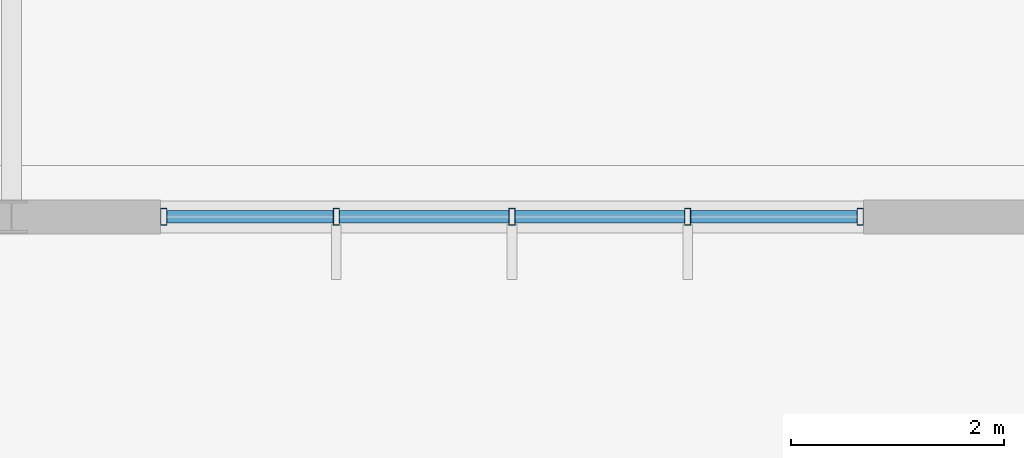
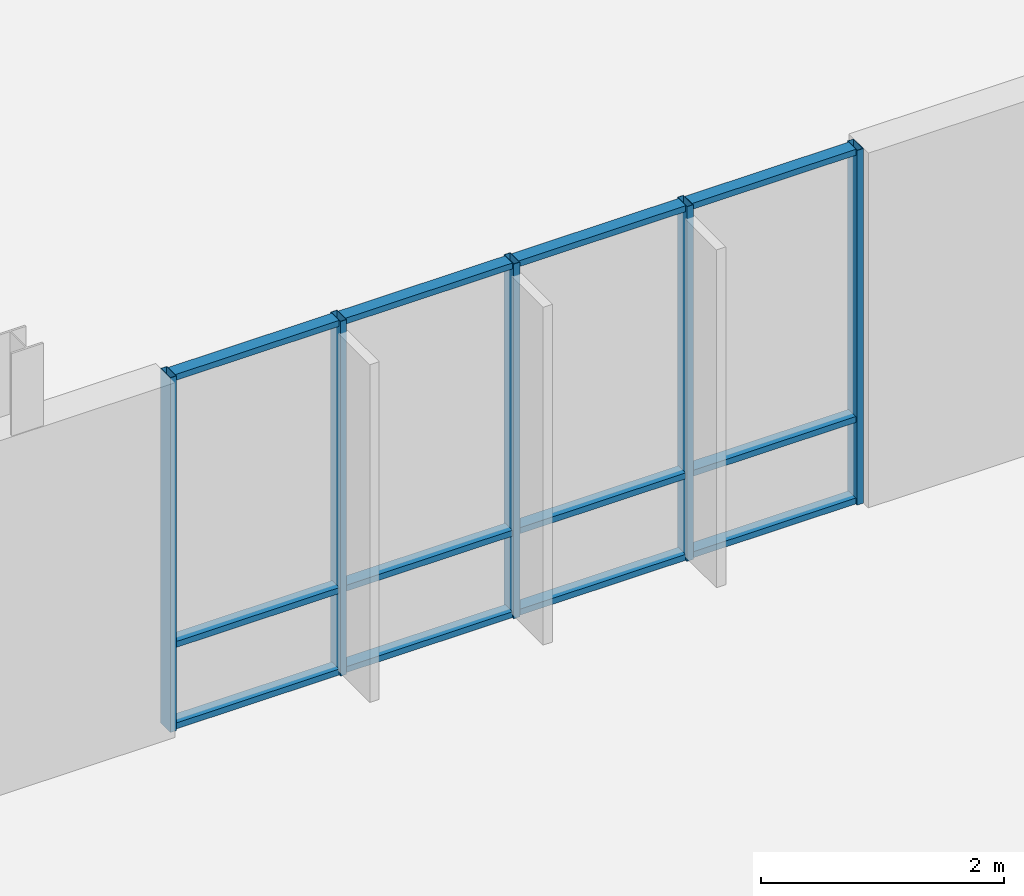
# One storey, part 152 of 233: 17 members, 1 element without a shape of its own.
"""IFC4 building model written with IfcOpenShell, lengths in metres."""

from ifc_helpers import new_model, si_unit, direction, frame, origin, origin_2d, place, context, subcontext, project, spatial, hollow_rectangle, extrude, material, material_profile, profile_set, type_object, element, aggregate, save


model = new_model("IFC4")

# Units and contexts
model_context = context("Model", 3, precision=1e-05, world=origin(), true_north=direction((0.0, 1.0)))
body_context = subcontext(model_context, "Body", "Model", "MODEL_VIEW")
ifc_project = project(units=[si_unit("LENGTHUNIT", "METRE"), si_unit("AREAUNIT", "SQUARE_METRE"), si_unit("VOLUMEUNIT", "CUBIC_METRE"), si_unit("PLANEANGLEUNIT", "RADIAN"), si_unit("MASSUNIT", "GRAM", prefix="KILO")], contexts=[model_context])

# Site, building, storey
site_placement = place(None, origin())
site = spatial("IfcSite", under=ifc_project, at=site_placement, CompositionType="ELEMENT")
building_placement = place(site_placement, origin())
building = spatial("IfcBuilding", under=site, at=building_placement, Name="Zavelmont Quarter", CompositionType="ELEMENT")
storey_placement = place(building_placement, origin())
storey = spatial("IfcBuildingStorey", under=building, at=storey_placement, Name="L00", CompositionType="ELEMENT", Elevation=0.0)

# Curtain wall, members
ifc_material_1 = material(Name="Thermally broken aluminium and double low-E safety glazing", Category="aluminium")
curtain_wall_type = type_object("IfcCurtainWallType", Name="CW-660X357", PredefinedType="NOTDEFINED", material=ifc_material_1)
curtain_wall_placement = place(storey_placement, origin())
curtain_wall = element("IfcCurtainWall", 1, at=curtain_wall_placement, inside=storey, type_object=curtain_wall_type, Name="L00 unitised curtain wall CW-660X357", PredefinedType="NOTDEFINED")
ifc_material_2 = material(Name="Powder-coated aluminium EN AW-6063-T6", Category="aluminium")
ifc_material_profile_1 = material_profile(ifc_material_2, hollow_rectangle(XDim=0.06005859375, YDim=0.159912109375, WallThickness=0.00390625, at=origin_2d()), Name="CWM60X160")
ifc_profile_set_1 = profile_set([ifc_material_profile_1], Name="Powder-coated aluminium EN AW-6063-T6")
member_type_1 = type_object("IfcMemberType", Name="CWM01", PredefinedType="MULLION", material=ifc_profile_set_1)
member_1_placement = place(storey_placement, frame((148.72998046875, 38.0, 0.0), z_axis=(0.0, 0.0, 1.0), x_axis=(1.0, 0.0, 0.0)))
member_1 = element("IfcMember", 2, at=member_1_placement, type_object=member_type_1, Name="CW-660X357 mullion 1", PredefinedType="MULLION", context=body_context, shape_type="SweptSolid", body=[
    extrude(hollow_rectangle(XDim=0.06005859375, YDim=0.159912109375, WallThickness=0.00390625, at=origin_2d()), origin(), (0.0, 0.0, 1.0), 3.570068359375),
])
member_2_placement = place(storey_placement, frame((150.35009765625, 38.0, 0.0), z_axis=(0.0, 0.0, 1.0), x_axis=(1.0, 0.0, 0.0)))
member_2 = element("IfcMember", 3, at=member_2_placement, type_object=member_type_1, Name="CW-660X357 mullion 2", PredefinedType="MULLION", context=body_context, shape_type="SweptSolid", body=[
    extrude(hollow_rectangle(XDim=0.06005859375, YDim=0.159912109375, WallThickness=0.00390625, at=origin_2d()), origin(), (0.0, 0.0, 1.0), 3.570068359375),
])
member_3_placement = place(storey_placement, frame((152.0, 38.0, 0.0), z_axis=(0.0, 0.0, 1.0), x_axis=(1.0, 0.0, 0.0)))
member_3 = element("IfcMember", 4, at=member_3_placement, type_object=member_type_1, Name="CW-660X357 mullion 3", PredefinedType="MULLION", context=body_context, shape_type="SweptSolid", body=[
    extrude(hollow_rectangle(XDim=0.06005859375, YDim=0.159912109375, WallThickness=0.00390625, at=origin_2d()), origin(), (0.0, 0.0, 1.0), 3.570068359375),
])
member_4_placement = place(storey_placement, frame((153.64990234375, 38.0, 0.0), z_axis=(0.0, 0.0, 1.0), x_axis=(1.0, 0.0, 0.0)))
member_4 = element("IfcMember", 5, at=member_4_placement, type_object=member_type_1, Name="CW-660X357 mullion 4", PredefinedType="MULLION", context=body_context, shape_type="SweptSolid", body=[
    extrude(hollow_rectangle(XDim=0.06005859375, YDim=0.159912109375, WallThickness=0.00390625, at=origin_2d()), origin(), (0.0, 0.0, 1.0), 3.570068359375),
])
member_5_placement = place(storey_placement, frame((155.27001953125, 38.0, 0.0), z_axis=(0.0, 0.0, 1.0), x_axis=(1.0, 0.0, 0.0)))
member_5 = element("IfcMember", 6, at=member_5_placement, type_object=member_type_1, Name="CW-660X357 mullion 5", PredefinedType="MULLION", context=body_context, shape_type="SweptSolid", body=[
    extrude(hollow_rectangle(XDim=0.06005859375, YDim=0.159912109375, WallThickness=0.00390625, at=origin_2d()), origin(), (0.0, 0.0, 1.0), 3.570068359375),
])
ifc_material_profile_2 = material_profile(ifc_material_2, hollow_rectangle(XDim=0.1201171875, YDim=0.06005859375, WallThickness=0.00390625, at=origin_2d()), Name="CWT60X120")
ifc_profile_set_2 = profile_set([ifc_material_profile_2], Name="Powder-coated aluminium EN AW-6063-T6")
member_type_2 = type_object("IfcMemberType", Name="CWT01", PredefinedType="NOTDEFINED", material=ifc_profile_set_2)
member_6_placement = place(storey_placement, frame((148.760009765625, 38.0, 0.030029296875), z_axis=(1.0, 0.0, 0.0), x_axis=(0.0, 1.0, 0.0)))
member_6 = element("IfcMember", 7, at=member_6_placement, type_object=member_type_2, Name="CW-660X357 transom 1.1", ObjectType="TRANSOM", PredefinedType="USERDEFINED", context=body_context, shape_type="SweptSolid", body=[
    extrude(hollow_rectangle(XDim=0.1201171875, YDim=0.06005859375, WallThickness=0.00390625, at=origin_2d()), origin(), (0.0, 0.0, 1.0), 1.56005859375),
])
member_7_placement = place(storey_placement, frame((148.760009765625, 38.0, 0.85009765625), z_axis=(1.0, 0.0, 0.0), x_axis=(0.0, 1.0, 0.0)))
member_7 = element("IfcMember", 8, at=member_7_placement, type_object=member_type_2, Name="CW-660X357 transom 1.2", ObjectType="TRANSOM", PredefinedType="USERDEFINED", context=body_context, shape_type="SweptSolid", body=[
    extrude(hollow_rectangle(XDim=0.1201171875, YDim=0.06005859375, WallThickness=0.00390625, at=origin_2d()), origin(), (0.0, 0.0, 1.0), 1.56005859375),
])
member_8_placement = place(storey_placement, frame((148.760009765625, 38.0, 3.5400390625), z_axis=(1.0, 0.0, 0.0), x_axis=(0.0, 1.0, 0.0)))
member_8 = element("IfcMember", 9, at=member_8_placement, type_object=member_type_2, Name="CW-660X357 transom 1.3", ObjectType="TRANSOM", PredefinedType="USERDEFINED", context=body_context, shape_type="SweptSolid", body=[
    extrude(hollow_rectangle(XDim=0.1201171875, YDim=0.06005859375, WallThickness=0.00390625, at=origin_2d()), origin(), (0.0, 0.0, 1.0), 1.56005859375),
])
member_9_placement = place(storey_placement, frame((150.3798828125, 38.0, 0.030029296875), z_axis=(1.0, 0.0, 0.0), x_axis=(0.0, 1.0, 0.0)))
member_9 = element("IfcMember", 10, at=member_9_placement, type_object=member_type_2, Name="CW-660X357 transom 2.1", ObjectType="TRANSOM", PredefinedType="USERDEFINED", context=body_context, shape_type="SweptSolid", body=[
    extrude(hollow_rectangle(XDim=0.1201171875, YDim=0.06005859375, WallThickness=0.00390625, at=origin_2d()), origin(), (0.0, 0.0, 1.0), 1.590087890625),
])
member_10_placement = place(storey_placement, frame((150.3798828125, 38.0, 0.85009765625), z_axis=(1.0, 0.0, 0.0), x_axis=(0.0, 1.0, 0.0)))
member_10 = element("IfcMember", 11, at=member_10_placement, type_object=member_type_2, Name="CW-660X357 transom 2.2", ObjectType="TRANSOM", PredefinedType="USERDEFINED", context=body_context, shape_type="SweptSolid", body=[
    extrude(hollow_rectangle(XDim=0.1201171875, YDim=0.06005859375, WallThickness=0.00390625, at=origin_2d()), origin(), (0.0, 0.0, 1.0), 1.590087890625),
])
member_11_placement = place(storey_placement, frame((150.3798828125, 38.0, 3.5400390625), z_axis=(1.0, 0.0, 0.0), x_axis=(0.0, 1.0, 0.0)))
member_11 = element("IfcMember", 12, at=member_11_placement, type_object=member_type_2, Name="CW-660X357 transom 2.3", ObjectType="TRANSOM", PredefinedType="USERDEFINED", context=body_context, shape_type="SweptSolid", body=[
    extrude(hollow_rectangle(XDim=0.1201171875, YDim=0.06005859375, WallThickness=0.00390625, at=origin_2d()), origin(), (0.0, 0.0, 1.0), 1.590087890625),
])
member_12_placement = place(storey_placement, frame((152.030029296875, 38.0, 0.030029296875), z_axis=(1.0, 0.0, 0.0), x_axis=(0.0, 1.0, 0.0)))
member_12 = element("IfcMember", 13, at=member_12_placement, type_object=member_type_2, Name="CW-660X357 transom 3.1", ObjectType="TRANSOM", PredefinedType="USERDEFINED", context=body_context, shape_type="SweptSolid", body=[
    extrude(hollow_rectangle(XDim=0.1201171875, YDim=0.06005859375, WallThickness=0.00390625, at=origin_2d()), origin(), (0.0, 0.0, 1.0), 1.590087890625),
])
member_13_placement = place(storey_placement, frame((152.030029296875, 38.0, 0.85009765625), z_axis=(1.0, 0.0, 0.0), x_axis=(0.0, 1.0, 0.0)))
member_13 = element("IfcMember", 14, at=member_13_placement, type_object=member_type_2, Name="CW-660X357 transom 3.2", ObjectType="TRANSOM", PredefinedType="USERDEFINED", context=body_context, shape_type="SweptSolid", body=[
    extrude(hollow_rectangle(XDim=0.1201171875, YDim=0.06005859375, WallThickness=0.00390625, at=origin_2d()), origin(), (0.0, 0.0, 1.0), 1.590087890625),
])
member_14_placement = place(storey_placement, frame((152.030029296875, 38.0, 3.5400390625), z_axis=(1.0, 0.0, 0.0), x_axis=(0.0, 1.0, 0.0)))
member_14 = element("IfcMember", 15, at=member_14_placement, type_object=member_type_2, Name="CW-660X357 transom 3.3", ObjectType="TRANSOM", PredefinedType="USERDEFINED", context=body_context, shape_type="SweptSolid", body=[
    extrude(hollow_rectangle(XDim=0.1201171875, YDim=0.06005859375, WallThickness=0.00390625, at=origin_2d()), origin(), (0.0, 0.0, 1.0), 1.590087890625),
])
member_15_placement = place(storey_placement, frame((153.679931640625, 38.0, 0.030029296875), z_axis=(1.0, 0.0, 0.0), x_axis=(0.0, 1.0, 0.0)))
member_15 = element("IfcMember", 16, at=member_15_placement, type_object=member_type_2, Name="CW-660X357 transom 4.1", ObjectType="TRANSOM", PredefinedType="USERDEFINED", context=body_context, shape_type="SweptSolid", body=[
    extrude(hollow_rectangle(XDim=0.1201171875, YDim=0.06005859375, WallThickness=0.00390625, at=origin_2d()), origin(), (0.0, 0.0, 1.0), 1.56005859375),
])
member_16_placement = place(storey_placement, frame((153.679931640625, 38.0, 0.85009765625), z_axis=(1.0, 0.0, 0.0), x_axis=(0.0, 1.0, 0.0)))
member_16 = element("IfcMember", 17, at=member_16_placement, type_object=member_type_2, Name="CW-660X357 transom 4.2", ObjectType="TRANSOM", PredefinedType="USERDEFINED", context=body_context, shape_type="SweptSolid", body=[
    extrude(hollow_rectangle(XDim=0.1201171875, YDim=0.06005859375, WallThickness=0.00390625, at=origin_2d()), origin(), (0.0, 0.0, 1.0), 1.56005859375),
])
member_17_placement = place(storey_placement, frame((153.679931640625, 38.0, 3.5400390625), z_axis=(1.0, 0.0, 0.0), x_axis=(0.0, 1.0, 0.0)))
member_17 = element("IfcMember", 18, at=member_17_placement, type_object=member_type_2, Name="CW-660X357 transom 4.3", ObjectType="TRANSOM", PredefinedType="USERDEFINED", context=body_context, shape_type="SweptSolid", body=[
    extrude(hollow_rectangle(XDim=0.1201171875, YDim=0.06005859375, WallThickness=0.00390625, at=origin_2d()), origin(), (0.0, 0.0, 1.0), 1.56005859375),
])
aggregate(curtain_wall, [member_1, member_2, member_3, member_4, member_5, member_6, member_7, member_8, member_9, member_10, member_11, member_12, member_13, member_14, member_15, member_16, member_17])

save(model, "model.ifc")
